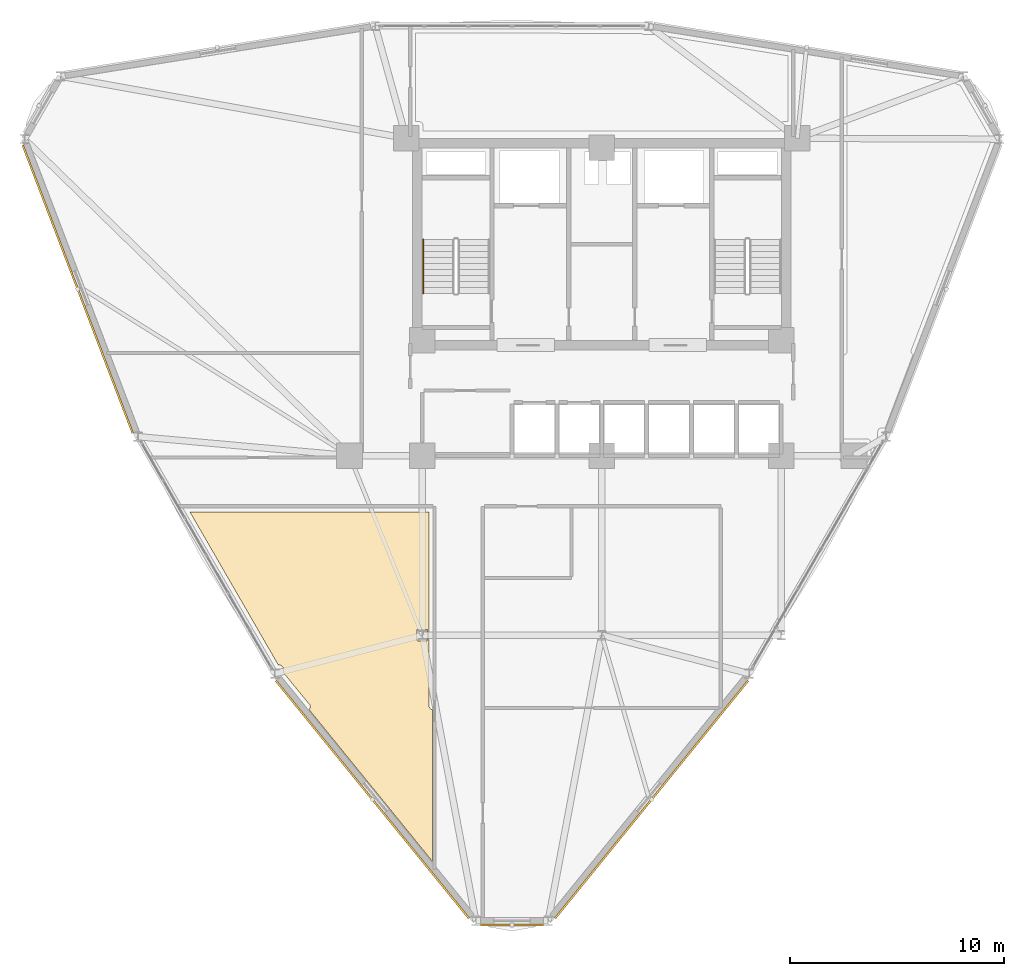
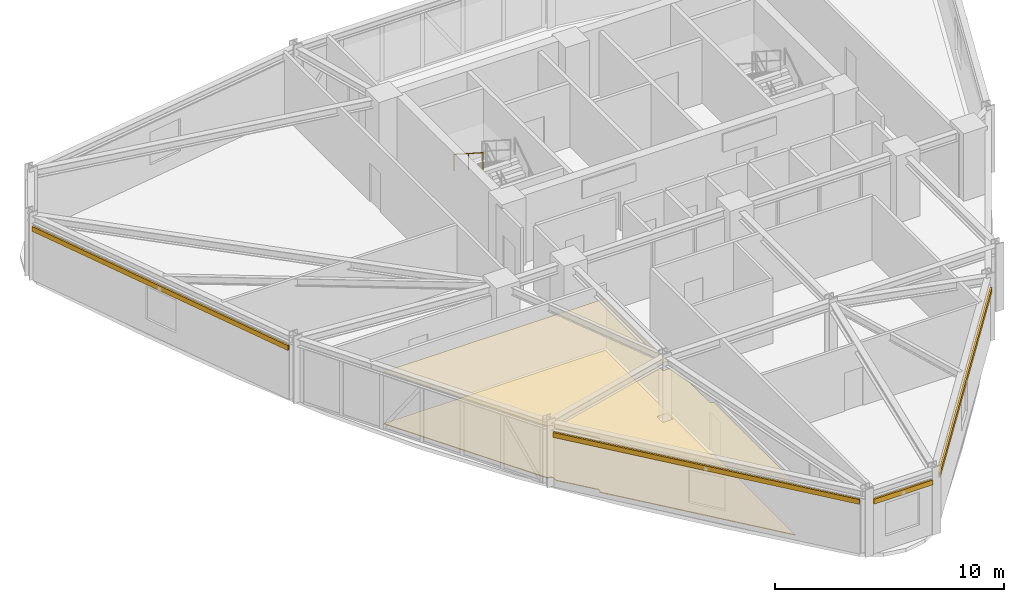
# One storey, part 13 of 15: 4 shading devices, 2 coverings, 1 railing.
"""IFC4 building model written with IfcOpenShell, lengths in metres."""

from ifc_helpers import new_model, si_unit, derived_unit, direction, frame, origin, origin_2d, place, context, subcontext, project, spatial, polyline, hollow_rectangle, circle, outline, extrude, source, transform, mapped, material, layer, layer_set, material_profile, profile_set, type_object, element, save


model = new_model("IFC4")

# Units and contexts
model_context = context("Model", 3, precision=1e-05, world=origin(), true_north=direction((0.0, 1.0)))
body_context = subcontext(model_context, "Body", "Model", "MODEL_VIEW")
ifc_project = project(units=[si_unit("LENGTHUNIT", "METRE"), si_unit("AREAUNIT", "SQUARE_METRE"), si_unit("VOLUMEUNIT", "CUBIC_METRE"), si_unit("PLANEANGLEUNIT", "RADIAN"), si_unit("MASSUNIT", "GRAM", prefix="KILO"), derived_unit("THERMALTRANSMITTANCEUNIT", [(si_unit("POWERUNIT", "WATT"), 1), (si_unit("LENGTHUNIT", "METRE"), -2), (si_unit("THERMODYNAMICTEMPERATUREUNIT", "KELVIN"), -1)])], contexts=[model_context])

# Site, building, storey
site_placement = place(None, origin())
site = spatial("IfcSite", under=ifc_project, at=site_placement, CompositionType="ELEMENT")
building_placement = place(site_placement, origin())
building = spatial("IfcBuilding", under=site, at=building_placement, Name="Korsvarv Bourse and Concert Hall", CompositionType="ELEMENT")
storey_placement = place(building_placement, frame((0.0, 0.0, 157.800048828125)))
storey = spatial("IfcBuildingStorey", under=building, at=storey_placement, Name="L40", CompositionType="ELEMENT", Elevation=157.800048828125)

# Coverings
ifc_material_1 = material(Name="Perforated mineral-wool and birch acoustic baffle ceiling", Category="wood")
ifc_layer_1 = layer(ifc_material_1, 0.02490234375)
ifc_layer_set_1 = layer_set([ifc_layer_1], Name="Perforated mineral-wool and birch acoustic baffle ceiling")
covering_type_1 = type_object("IfcCoveringType", Name="COV-CEIL-1", PredefinedType="CEILING", material=ifc_layer_set_1)
covering_1_placement = place(storey_placement, frame((0.0, 0.0, 2.780029296875)))
element("IfcCovering", 1, at=covering_1_placement, inside=storey, type_object=covering_type_1, Name="L40 acoustic baffle ceiling 1", PredefinedType="CEILING", context=body_context, shape_type="SweptSolid", body=[
    extrude(outline(polyline([(21.100830078125, 22.254150390625), (21.100830078125, 22.419921875), (21.09716796875, 22.455810546875), (21.08642578125, 22.490234375), (21.069091796875, 22.52197265625), (21.045654296875, 22.549560546875), (21.01708984375, 22.572021484375), (20.98486328125, 22.588134765625), (20.94970703125, 22.597412109375), (20.86572265625, 22.603515625), (16.728271484375, 29.77001953125), (27.919921875, 29.77001953125), (27.919921875, 20.68994140625), (27.923583984375, 20.65380859375), (27.9345703125, 20.618896484375), (27.952392578125, 20.587158203125), (27.97607421875, 20.5595703125), (28.0048828125, 20.537353515625), (28.03759765625, 20.521240234375), (28.07275390625, 20.51220703125), (28.080078125, 13.411865234375), (22.29833984375, 20.526611328125), (22.314208984375, 20.541748046875), (22.3349609375, 20.569580078125), (22.35009765625, 20.601318359375), (22.35888671875, 20.635009765625), (22.361083984375, 20.669921875), (22.3564453125, 20.70458984375), (22.344970703125, 20.737548828125), (22.327392578125, 20.767822265625), (22.304443359375, 20.794189453125), (22.27685546875, 20.815673828125), (21.100830078125, 22.254150390625)]), holes=[polyline([(27.38427734375, 23.7333984375), (27.805908203125, 23.732421875), (27.82958984375, 23.73828125), (27.84765625, 23.754638671875), (27.855712890625, 23.777587890625), (27.85595703125, 24.217529296875), (27.85009765625, 24.2412109375), (27.833740234375, 24.259033203125), (27.810791015625, 24.267333984375), (27.39404296875, 24.267578125), (27.370361328125, 24.26171875), (27.352294921875, 24.245361328125), (27.34423828125, 24.222412109375), (27.343994140625, 23.782470703125), (27.349853515625, 23.7587890625), (27.38427734375, 23.7333984375)])]), origin(), (0.0, 0.0, 1.0), 0.02490234375),
])
ifc_material_2 = material(Name="Calcium-sulphate raised access trading floor with Nordic oak top", Category="wood")
ifc_layer_2 = layer(ifc_material_2, 0.0400390625)
ifc_layer_set_2 = layer_set([ifc_layer_2], Name="Calcium-sulphate raised access trading floor with Nordic oak top")
covering_type_2 = type_object("IfcCoveringType", Name="COV-FLOR-1", PredefinedType="FLOORING", material=ifc_layer_set_2)
covering_2_placement = place(storey_placement, origin())
element("IfcCovering", 2, at=covering_2_placement, inside=storey, type_object=covering_type_2, Name="L40 raised access oak floor finish 1", PredefinedType="FLOORING", context=body_context, shape_type="SweptSolid", body=[
    extrude(outline(polyline([(21.100830078125, 22.254150390625), (21.100830078125, 22.419921875), (21.09716796875, 22.455810546875), (21.08642578125, 22.490234375), (21.069091796875, 22.52197265625), (21.045654296875, 22.549560546875), (21.01708984375, 22.572021484375), (20.98486328125, 22.588134765625), (20.94970703125, 22.597412109375), (20.86572265625, 22.603515625), (16.728271484375, 29.77001953125), (27.919921875, 29.77001953125), (27.919921875, 20.68994140625), (27.923583984375, 20.65380859375), (27.9345703125, 20.618896484375), (27.952392578125, 20.587158203125), (27.97607421875, 20.5595703125), (28.0048828125, 20.537353515625), (28.03759765625, 20.521240234375), (28.07275390625, 20.51220703125), (28.080078125, 13.411865234375), (22.29833984375, 20.526611328125), (22.314208984375, 20.541748046875), (22.3349609375, 20.569580078125), (22.35009765625, 20.601318359375), (22.35888671875, 20.635009765625), (22.361083984375, 20.669921875), (22.3564453125, 20.70458984375), (22.344970703125, 20.737548828125), (22.327392578125, 20.767822265625), (22.304443359375, 20.794189453125), (22.27685546875, 20.815673828125), (21.100830078125, 22.254150390625)]), holes=[polyline([(27.38427734375, 23.7333984375), (27.805908203125, 23.732421875), (27.82958984375, 23.73828125), (27.84765625, 23.754638671875), (27.855712890625, 23.777587890625), (27.85595703125, 24.217529296875), (27.85009765625, 24.2412109375), (27.833740234375, 24.259033203125), (27.810791015625, 24.267333984375), (27.39404296875, 24.267578125), (27.370361328125, 24.26171875), (27.352294921875, 24.245361328125), (27.34423828125, 24.222412109375), (27.343994140625, 23.782470703125), (27.349853515625, 23.7587890625), (27.38427734375, 23.7333984375)])]), origin(), (0.0, 0.0, 1.0), 0.0400390625),
])

# Railing
ifc_material_3 = material(Name="Brushed stainless Steel S355 tubular handrail", Category="steel")
railing_type = type_object("IfcRailingType", Name="RL-ST-HND", PredefinedType="HANDRAIL", material=ifc_material_3)
railing_placement = place(storey_placement, frame((27.64990234375, 42.52001953125, 1.97998046875)))
element("IfcRailing", 3, at=railing_placement, inside=storey, type_object=railing_type, Name="L40 ST-T1 stair handrail 2", PredefinedType="HANDRAIL", context=body_context, shape_type="SweptSolid", body=[
    extrude(circle(Radius=0.02392578125, at=origin_2d()), frame((0.0, 0.0, 0.8759765625), z_axis=(0.0, -0.841199657755, 0.540724639528), x_axis=(1.0, 0.0, 0.0)), (0.0, 0.0, 1.0), 2.995849609375),
    extrude(circle(Radius=0.02099609375, at=origin_2d()), origin(), (0.0, 0.0, 1.0), 0.851806640625),
    extrude(circle(Radius=0.02099609375, at=origin_2d()), frame((0.0, -1.260009765625, 0.81005859375)), (0.0, 0.0, 1.0), 0.851806640625),
    extrude(circle(Radius=0.02099609375, at=origin_2d()), frame((0.0, -2.52001953125, 1.619873046875)), (0.0, 0.0, 1.0), 0.851806640625),
])

# Shading devices
ifc_material_4 = material(Name="Glazed extruded architectural terracotta", Category="ceramic")
ifc_material_profile = material_profile(ifc_material_4, hollow_rectangle(XDim=0.090087890625, YDim=0.260009765625, WallThickness=0.011962890625, at=origin_2d()), Name="TC-BAG 90x260")
ifc_profile_set = profile_set([ifc_material_profile], Name="Glazed extruded architectural terracotta")
shading_device_type = type_object("IfcShadingDeviceType", Name="SHD-BAG-1", PredefinedType="USERDEFINED", material=ifc_profile_set)
shared_shape_1 = source(origin(), body_context, "Body", "SweptSolid", [
    extrude(hollow_rectangle(XDim=0.090087890625, YDim=0.260009765625, WallThickness=0.011962890625, at=origin_2d()), origin(), (0.0, 0.0, 1.0), 14.42822265625),
])
shading_device_1_placement = place(storey_placement, frame((8.9072265625, 46.928955078125, 2.7900390625), z_axis=(0.356763590825, -0.934194701474, 0.0), x_axis=(0.934194701474, 0.356763590825, 0.0)))
element("IfcShadingDevice", 4, at=shading_device_1_placement, inside=storey, type_object=shading_device_type, Name="L40 terracotta baguette sunshade EW-L40-B06", ObjectType="BAGUETTE", PredefinedType="USERDEFINED", context=body_context, shape_type="MappedRepresentation", body=[
    mapped(shared_shape_1, transform((0.0, 0.0, 0.0), scale=1.0)),
])
shared_shape_2 = source(origin(), body_context, "Body", "SweptSolid", [
    extrude(hollow_rectangle(XDim=0.090087890625, YDim=0.260009765625, WallThickness=0.011962890625, at=origin_2d()), origin(), (0.0, 0.0, 1.0), 14.331298828125),
])
for number, where, z_axis, x_axis, name in (
    (5, (20.749755859375, 21.869384765625, 2.83984375), (0.630641365747, -0.776074395795, 0.0), (0.776074395795, 0.630641365747, 0.0), "L40 terracotta baguette sunshade EW-L40-B08"),
    (6, (33.812255859375, 10.747314453125, 2.83984375), (0.630641365747, 0.776074395795, 0.0), (-0.776074395795, 0.630641365747, 0.0), "L40 terracotta baguette sunshade EW-L40-B10"),
):
    element("IfcShadingDevice", number, at=place(storey_placement, frame(where, z_axis=z_axis, x_axis=x_axis)), inside=storey, type_object=shading_device_type, Name=name, ObjectType="BAGUETTE", PredefinedType="USERDEFINED", context=body_context, shape_type="MappedRepresentation", body=[
        mapped(shared_shape_2, transform((0.0, 0.0, 0.0), scale=1.0)),
    ])
shared_shape_3 = source(origin(), body_context, "Body", "SweptSolid", [
    extrude(hollow_rectangle(XDim=0.090087890625, YDim=0.260009765625, WallThickness=0.011962890625, at=origin_2d()), origin(), (0.0, 0.0, 1.0), 2.969482421875),
])
shading_device_2_placement = place(storey_placement, frame((30.315185546875, 10.4501953125, 2.83984375), z_axis=(1.0, 0.0, 0.0), x_axis=(0.0, 1.0, 0.0)))
element("IfcShadingDevice", 7, at=shading_device_2_placement, inside=storey, type_object=shading_device_type, Name="L40 terracotta baguette sunshade EW-L40-B09", ObjectType="BAGUETTE", PredefinedType="USERDEFINED", context=body_context, shape_type="MappedRepresentation", body=[
    mapped(shared_shape_3, transform((0.0, 0.0, 0.0), scale=1.0)),
])

save(model, "model.ifc")
